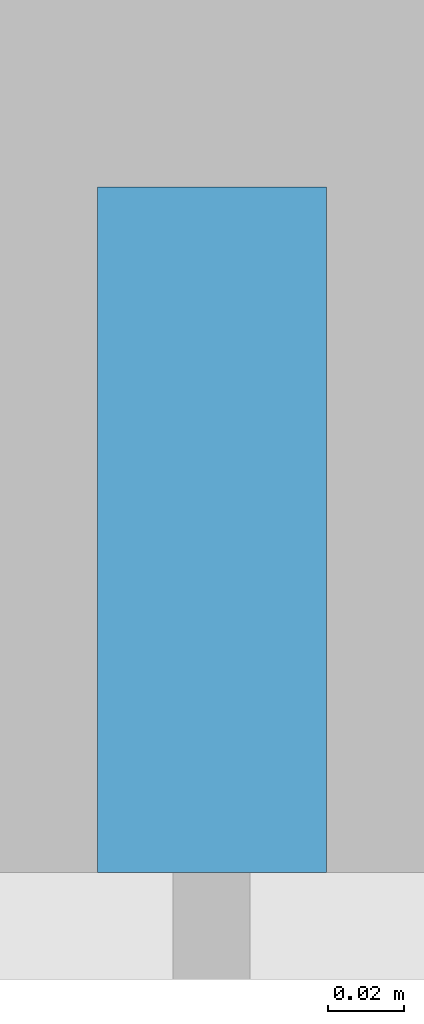
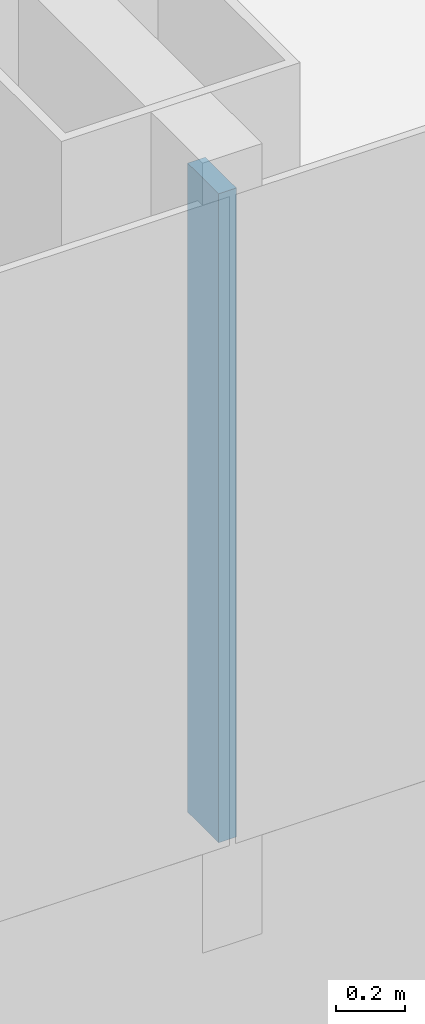
# One storey, part 4 of 29: 1 member, 1 element without a shape of its own.
"""IFC4 building model written with IfcOpenShell, lengths in metres."""

from ifc_helpers import new_model, si_unit, direction, frame, origin, origin_2d, place, context, subcontext, project, spatial, rectangle, extrude, material, layer, layer_set, material_profile, profile_set, type_object, element, aggregate, save


model = new_model("IFC4")

# Units and contexts
model_context = context("Model", 3, precision=1e-05, world=origin(), true_north=direction((0.0, 1.0)))
body_context = subcontext(model_context, "Body", "Model", "MODEL_VIEW")
ifc_project = project(units=[si_unit("LENGTHUNIT", "METRE"), si_unit("AREAUNIT", "SQUARE_METRE"), si_unit("VOLUMEUNIT", "CUBIC_METRE"), si_unit("PLANEANGLEUNIT", "RADIAN"), si_unit("MASSUNIT", "GRAM", prefix="KILO")], contexts=[model_context])

# Site, building, storey
site_placement = place(None, origin())
site = spatial("IfcSite", under=ifc_project, at=site_placement, CompositionType="ELEMENT")
building_placement = place(site_placement, origin())
building = spatial("IfcBuilding", under=site, at=building_placement, Name="Hakoniwa Tower and Hamabe Station Hall", CompositionType="ELEMENT")
storey_placement = place(building_placement, frame((0.0, 0.0, 113.800048828125)))
storey = spatial("IfcBuildingStorey", under=building, at=storey_placement, Name="L32", CompositionType="ELEMENT", Elevation=113.800048828125)

# Curtain wall, member
ifc_material_1 = material(Name="Dark low-e laminated glass", Category="glass")
ifc_layer = layer(ifc_material_1, 0.199951171875)
ifc_layer_set = layer_set([ifc_layer], Name="CW-1 UNITISED GUEST")
curtain_wall_type = type_object("IfcCurtainWallType", Name="CW-1 UNITISED GUEST", PredefinedType="NOTDEFINED", material=ifc_layer_set)
curtain_wall_placement = place(storey_placement, origin())
curtain_wall = element("IfcCurtainWall", 1, at=curtain_wall_placement, inside=storey, type_object=curtain_wall_type, Name="CW-1 curtain wall", PredefinedType="NOTDEFINED")
ifc_material_2 = material(Name="Aluminium 6063-T5 black anodised", Category="aluminium")
ifc_material_profile = material_profile(ifc_material_2, rectangle(XDim=0.06005859375, YDim=0.179931640625, at=origin_2d()), Name="CW-1 MULLION 60X180")
ifc_profile_set = profile_set([ifc_material_profile], Name="Aluminium 6063-T5 black anodised")
member_type = type_object("IfcMemberType", Name="CW-1 MULLION 60X180", PredefinedType="MULLION", material=ifc_profile_set)
member_placement = place(storey_placement, frame((-8.39990234375, -15.431884765625, 0.349853515625), z_axis=(0.0, 0.0, 1.0), x_axis=(1.0, 0.0, 0.0)))
member = element("IfcMember", 2, at=member_placement, type_object=member_type, Name="CW-1 mullion", PredefinedType="MULLION", context=body_context, shape_type="SweptSolid", body=[
    extrude(rectangle(XDim=0.06005859375, YDim=0.179931640625, at=origin_2d()), origin(), (0.0, 0.0, 1.0), 2.300048828125),
])
aggregate(curtain_wall, [member])

save(model, "model.ifc")
